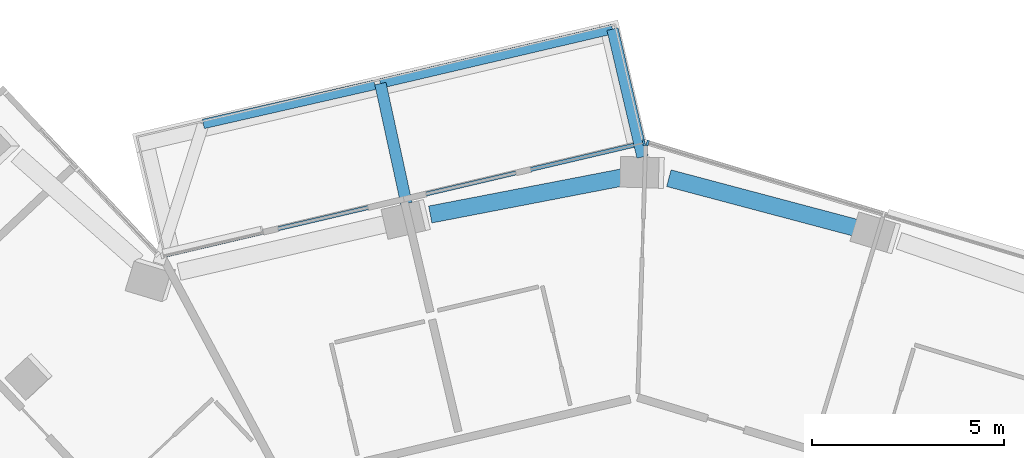
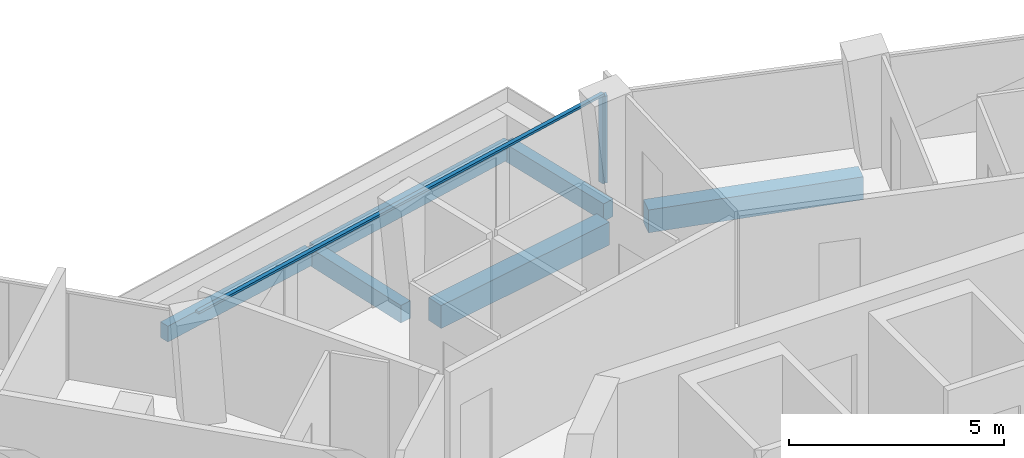
# One storey, part 8 of 24: 6 beams, 3 members, 2 elements without a shape of their own.
"""IFC4 building model written with IfcOpenShell, lengths in metres."""

import ifcopenshell
import ifcopenshell.guid

model = None  # the IFC model being written
_history = None  # IfcOwnerHistory: only IFC2X3 demands one
_inside = {}  # id of a spatial element -> (the spatial element, [elements in it])
_under = {}  # id of a project, library or spatial element -> (it, [spatial elements below it])
_declared = {}  # id of a project -> (the project, [libraries it declares])
_typed = {}  # id of a type object -> (the type object, [elements of that type])
_made_of = {}  # id of a material, layer set ... -> (it, [elements and type objects made of it])


def new_model(schema):
    """Start an empty IFC model of exactly this schema.

    Asked for "IFC4X3", IfcOpenShell would pick the latest addendum, in which some entities
    have other attributes; the version numbers below select the first issue.
    IFC2X3 requires an IfcOwnerHistory on every rooted entity: one is made here for all.
    """
    global model, _history
    if schema == "IFC4X3":
        model = ifcopenshell.file(schema_version=(4, 3, 0, 0))
    else:
        model = ifcopenshell.file(schema=schema)
    _inside.clear()
    _under.clear()
    _declared.clear()
    _typed.clear()
    _made_of.clear()
    _history = None
    if model.schema == "IFC2X3":
        org = make("IfcOrganization", Name="unknown")
        user = make(
            "IfcPersonAndOrganization",
            ThePerson=make("IfcPerson", FamilyName="unknown"),
            TheOrganization=org,
        )
        app = make(
            "IfcApplication",
            ApplicationDeveloper=org,
            Version="unknown",
            ApplicationFullName="unknown",
            ApplicationIdentifier="unknown",
        )
        _history = make(
            "IfcOwnerHistory",
            OwningUser=user,
            OwningApplication=app,
            ChangeAction="ADDED",
            CreationDate=0,
        )
    return model


def make(cls, **values):
    """One entity of the class cls with the attributes given. An attribute that is None is left unset."""
    return model.create_entity(
        cls, **{name: value for name, value in values.items() if value is not None}
    )


def rooted(cls, **values):
    """An entity with a GlobalId (a new one), such as an element, a storey or a relation."""
    return make(cls, GlobalId=ifcopenshell.guid.new(), OwnerHistory=_history, **values)


def si_unit(unit_type, name, prefix=None):
    """IfcSIUnit, for example si_unit("LENGTHUNIT", "METRE", prefix="MILLI")."""
    return make("IfcSIUnit", UnitType=unit_type, Prefix=prefix, Name=name)


def assignment(units):
    """IfcUnitAssignment: the units of a project."""
    return None if units is None else make("IfcUnitAssignment", Units=units)


def point(xyz):
    """IfcCartesianPoint."""
    return None if xyz is None else make("IfcCartesianPoint", Coordinates=xyz)


def direction(xyz):
    """IfcDirection."""
    return None if xyz is None else make("IfcDirection", DirectionRatios=xyz)


def frame(location, z_axis=None, x_axis=None):
    """IfcAxis2Placement3D, a coordinate frame: its origin and axes. An axis left out is left unset."""
    return make(
        "IfcAxis2Placement3D",
        Location=point(location),
        Axis=direction(z_axis),
        RefDirection=direction(x_axis),
    )


def frame_2d(location, x_axis=None):
    """IfcAxis2Placement2D, a coordinate frame in the plane: its origin and x axis."""
    return make(
        "IfcAxis2Placement2D", Location=point(location), RefDirection=direction(x_axis)
    )


def origin():
    """The frame at (0, 0, 0) with its axes left unset."""
    return frame((0.0, 0.0, 0.0))


def origin_2d():
    """The frame at (0, 0) in the plane with its x axis left unset."""
    return frame_2d((0.0, 0.0))


def place(relative_to, where):
    """IfcLocalPlacement: puts the frame where relative to a parent placement (None: the world)."""
    return make(
        "IfcLocalPlacement", PlacementRelTo=relative_to, RelativePlacement=where
    )


def context(
    kind, dimensions, precision=None, world=None, true_north=None, identifier=None
):
    """IfcGeometricRepresentationContext, for example the 3D "Model" context."""
    return make(
        "IfcGeometricRepresentationContext",
        ContextIdentifier=identifier,
        ContextType=kind,
        CoordinateSpaceDimension=dimensions,
        Precision=precision,
        WorldCoordinateSystem=world,
        TrueNorth=true_north,
    )


def subcontext(parent, identifier, kind, view, scale=None):
    """IfcGeometricRepresentationSubContext, for example "Body" below "Model"."""
    return make(
        "IfcGeometricRepresentationSubContext",
        ContextIdentifier=identifier,
        ContextType=kind,
        ParentContext=parent,
        TargetScale=scale,
        TargetView=view,
    )


def project(units=None, contexts=None):
    """IfcProject with its units and contexts."""
    return rooted(
        "IfcProject",
        Name="project",
        RepresentationContexts=contexts,
        UnitsInContext=assignment(units),
    )


def spatial(cls, under=None, at=None, **own):
    """A site, building, storey or space (cls), placed at a placement, below another one or the project."""
    s = rooted(cls, ObjectPlacement=at, **own)
    if under is not None:
        _under.setdefault(under.id(), (under, []))[1].append(s)
    return s


def profile(cls, at=None, kind="AREA", **sizes):
    """A parametric profile (cls). Its sizes go by their IFC names, for example OverallWidth=200.0."""
    return make(cls, ProfileType=kind, Position=at, **sizes)


def rectangle(**sizes):
    """IfcRectangleProfileDef."""
    return profile("IfcRectangleProfileDef", **sizes)


def extrude(swept, where, along, depth):
    """IfcExtrudedAreaSolid: the profile swept, set in the frame where, extruded along a direction by depth."""
    return make(
        "IfcExtrudedAreaSolid",
        SweptArea=swept,
        Position=where,
        ExtrudedDirection=direction(along),
        Depth=depth,
    )


def shape(context_of_items, identifier, shape_type, items):
    """IfcShapeRepresentation: the items that make up one representation, for example the "Body"."""
    return make(
        "IfcShapeRepresentation",
        ContextOfItems=context_of_items,
        RepresentationIdentifier=identifier,
        RepresentationType=shape_type,
        Items=items,
    )


def material(Name=None, Category=None):
    """IfcMaterial."""
    return make("IfcMaterial", Name=Name, Category=Category)


def layer(
    of_material, thickness, ventilated=None, Name=None, Category=None, Priority=None
):
    """IfcMaterialLayer: one layer of a wall or slab, of a material (None: an air gap)."""
    return make(
        "IfcMaterialLayer",
        Material=of_material,
        LayerThickness=thickness,
        IsVentilated=ventilated,
        Name=Name,
        Category=Category,
        Priority=Priority,
    )


def layer_set(layers, Name=None):
    """IfcMaterialLayerSet."""
    return make("IfcMaterialLayerSet", MaterialLayers=layers, LayerSetName=Name)


def material_profile(
    of_material, cross_section, Name=None, Category=None, Priority=None
):
    """IfcMaterialProfile: a cross section and its material."""
    return make(
        "IfcMaterialProfile",
        Name=Name,
        Material=of_material,
        Profile=cross_section,
        Priority=Priority,
        Category=Category,
    )


def profile_set(profiles, Name=None, composite=None):
    """IfcMaterialProfileSet."""
    return make(
        "IfcMaterialProfileSet",
        Name=Name,
        MaterialProfiles=profiles,
        CompositeProfile=composite,
    )


def made_of(thing, what):
    """Note that an element or type object is made of a material, layer set ...; save() writes the relation."""
    if what is not None:
        _made_of.setdefault(what.id(), (what, []))[1].append(thing)
    return thing


def type_object(cls, material=None, **own):
    """A type object (cls), such as IfcWallType, which elements share."""
    return made_of(rooted(cls, **own), material)


def element(
    cls,
    number,
    at=None,
    inside=None,
    cuts=None,
    type_object=None,
    material=None,
    context=None,
    identifier="Body",
    shape_type=None,
    held_by="IfcProductDefinitionShape",
    body=None,
    shapes=None,
    **own,
):
    """One element of the class cls, such as IfcWall. Its Tag is "e" and its number.

    at: its placement. inside: the storey or other place that contains it. cuts: it is an
    opening in that element (IfcRelVoidsElement). A single representation is given by context,
    identifier, shape_type and body (its items); several are given by shapes. held_by: the class
    of the entity that holds the representations. save() writes the other relations.
    """
    e = rooted(cls, Tag="e%d" % number, ObjectPlacement=at, **own)
    if body is not None:
        shapes = [shape(context, identifier, shape_type, body)]
    if shapes is not None:
        e.Representation = make(held_by, Representations=shapes)
    if inside is not None:
        _inside.setdefault(inside.id(), (inside, []))[1].append(e)
    if cuts is not None:
        rooted(
            "IfcRelVoidsElement", RelatingBuildingElement=cuts, RelatedOpeningElement=e
        )
    if type_object is not None:
        _typed.setdefault(type_object.id(), (type_object, []))[1].append(e)
    return made_of(e, material)


def aggregate(whole, parts):
    """IfcRelAggregates: a whole, such as a stair, and the parts it consists of."""
    return rooted("IfcRelAggregates", RelatingObject=whole, RelatedObjects=parts)


def save(model, path):
    """Write the relations noted so far, then the file.

    IfcRelAggregates (storeys below a building ...), IfcRelContainedInSpatialStructure (elements
    in a storey), IfcRelDefinesByType, IfcRelAssociatesMaterial and IfcRelDeclares: one each for
    every whole, place, type object, material and project.
    """
    for whole, parts in _under.values():
        aggregate(whole, parts)
    for where, things in _inside.values():
        rooted(
            "IfcRelContainedInSpatialStructure",
            RelatedElements=things,
            RelatingStructure=where,
        )
    for kind, things in _typed.values():
        rooted("IfcRelDefinesByType", RelatedObjects=things, RelatingType=kind)
    for what, things in _made_of.values():
        rooted("IfcRelAssociatesMaterial", RelatedObjects=things, RelatingMaterial=what)
    for by, libraries in _declared.values():
        rooted("IfcRelDeclares", RelatingContext=by, RelatedDefinitions=libraries)
    model.write(path)


model = new_model("IFC4")

# Units and contexts
model_context = context("Model", 3, precision=1e-05, world=origin(), true_north=direction((0.0, 1.0)))
body_context = subcontext(model_context, "Body", "Model", "MODEL_VIEW")
ifc_project = project(units=[si_unit("LENGTHUNIT", "METRE"), si_unit("AREAUNIT", "SQUARE_METRE"), si_unit("VOLUMEUNIT", "CUBIC_METRE"), si_unit("PLANEANGLEUNIT", "RADIAN"), si_unit("MASSUNIT", "GRAM", prefix="KILO")], contexts=[model_context])

# Site, building, storey
site_placement = place(None, origin())
site = spatial("IfcSite", under=ifc_project, at=site_placement, CompositionType="ELEMENT")
building_placement = place(site_placement, origin())
building = spatial("IfcBuilding", under=site, at=building_placement, Name="Verdalira Terraces Hotel", CompositionType="ELEMENT")
storey_placement = place(building_placement, frame((0.0, 0.0, 209.0)))
storey = spatial("IfcBuildingStorey", under=building, at=storey_placement, Name="L51", CompositionType="ELEMENT", Elevation=209.0)

# Beams
ifc_material_1 = material(Name="Concrete C40", Category="concrete")
ifc_material_profile_1 = material_profile(ifc_material_1, rectangle(XDim=0.300049, YDim=0.5, at=origin_2d()), Name="RC 300X500")
ifc_profile_set_1 = profile_set([ifc_material_profile_1], Name="Concrete C40")
beam_type_1 = type_object("IfcBeamType", Name="Balcony cantilever beam RC 300X500 C40", PredefinedType="BEAM", material=ifc_profile_set_1)
beam_1_placement = place(storey_placement, frame((0.702881, 24.646484, -0.560059), z_axis=(-0.22841524, 0.973563803, 0.0), x_axis=(-0.973563803, -0.22841524, 0.0)))
element("IfcBeam", 1, at=beam_1_placement, inside=storey, type_object=beam_type_1, Name="Balcony cantilever beam R41-1", PredefinedType="BEAM", context=body_context, shape_type="SweptSolid", body=[
    extrude(rectangle(XDim=0.300049, YDim=0.5, at=origin_2d()), origin(), (0.0, 0.0, 1.0), 3.423584),
])
beam_2_placement = place(storey_placement, frame((-5.452881, 23.431885, -0.560059), z_axis=(-0.212033815, 0.97726233, 0.0), x_axis=(-0.97726233, -0.212033815, 0.0)))
element("IfcBeam", 2, at=beam_2_placement, inside=storey, type_object=beam_type_1, Name="Balcony cantilever beam R41-2", PredefinedType="BEAM", context=body_context, shape_type="SweptSolid", body=[
    extrude(rectangle(XDim=0.300049, YDim=0.5, at=origin_2d()), origin(), (0.0, 0.0, 1.0), 3.200928),
])
ifc_material_2 = material(Name="Concrete C40", Category="concrete")
ifc_material_profile_2 = material_profile(ifc_material_2, rectangle(XDim=0.25, YDim=0.449951, at=origin_2d()), Name="RC 250X450")
ifc_profile_set_2 = profile_set([ifc_material_profile_2], Name="Concrete C40")
beam_type_2 = type_object("IfcBeamType", Name="Balcony edge beam RC 250X450 C40", PredefinedType="BEAM", material=ifc_profile_set_2)
beam_3_placement = place(storey_placement, frame((-0.079102, 27.979492, -0.534912), z_axis=(-0.973584809, -0.228325686, 0.0), x_axis=(0.228325686, -0.973584809, 0.0)))
element("IfcBeam", 3, at=beam_3_placement, inside=storey, type_object=beam_type_2, Name="Balcony edge beam R41-1", PredefinedType="BEAM", context=body_context, shape_type="SweptSolid", body=[
    extrude(rectangle(XDim=0.25, YDim=0.449951, at=origin_2d()), origin(), (0.0, 0.0, 1.0), 6.216797),
])
beam_4_placement = place(storey_placement, frame((-6.277832, 26.526611, -0.534912), z_axis=(-0.974925865, -0.222529903, 0.0), x_axis=(0.222529903, -0.974925865, 0.0)))
element("IfcBeam", 4, at=beam_4_placement, inside=storey, type_object=beam_type_2, Name="Balcony edge beam R41-2", PredefinedType="BEAM", context=body_context, shape_type="SweptSolid", body=[
    extrude(rectangle(XDim=0.25, YDim=0.449951, at=origin_2d()), origin(), (0.0, 0.0, 1.0), 4.585938),
])

# Curtain wall, member
ifc_material_3 = material(Name="Clear glass", Category="glass")
ifc_layer = layer(ifc_material_3, 0.14990234375)
ifc_layer_set = layer_set([ifc_layer], Name="CW1 curtain wall")
curtain_wall_type = type_object("IfcCurtainWallType", Name="CW1 curtain wall", PredefinedType="NOTDEFINED", material=ifc_layer_set)
curtain_wall_1_placement = place(storey_placement, origin())
curtain_wall_1 = element("IfcCurtainWall", 5, at=curtain_wall_1_placement, inside=storey, type_object=curtain_wall_type, Name="CW1 curtain wall L51 edge 40", PredefinedType="NOTDEFINED")
ifc_material_4 = material(Name="Terracotta frame", Category="masonry")
ifc_material_profile_3 = material_profile(ifc_material_4, rectangle(XDim=0.060059, YDim=0.149902, at=origin_2d()), Name="MU 60x150")
ifc_profile_set_3 = profile_set([ifc_material_profile_3], Name="Terracotta frame")
member_type_1 = type_object("IfcMemberType", Name="CW1 mullion 60x150", PredefinedType="MULLION", material=ifc_profile_set_3)
member_1_placement = place(storey_placement, frame((0.834473, 25.009521, 0.0), z_axis=(0.0, 0.0, 1.0), x_axis=(-0.957319498, 0.289031797, 0.0)))
member_1 = element("IfcMember", 6, at=member_1_placement, type_object=member_type_1, Name="CW1 mullion", PredefinedType="MULLION", context=body_context, shape_type="SweptSolid", body=[
    extrude(rectangle(XDim=0.060059, YDim=0.149902, at=origin_2d()), origin(), (0.0, 0.0, 1.0), 2.475098),
])
aggregate(curtain_wall_1, [member_1])

# Curtain wall, members
curtain_wall_2_placement = place(storey_placement, origin())
curtain_wall_2 = element("IfcCurtainWall", 7, at=curtain_wall_2_placement, inside=storey, type_object=curtain_wall_type, Name="CW1 curtain wall L51 edge 41", PredefinedType="NOTDEFINED")
member_2_placement = place(storey_placement, frame((0.737549, 25.012695, 0.0), z_axis=(0.0, 0.0, 1.0), x_axis=(-0.973578903, -0.22835087, 0.0)))
member_2 = element("IfcMember", 8, at=member_2_placement, type_object=member_type_1, Name="CW1 mullion", PredefinedType="MULLION", context=body_context, shape_type="SweptSolid", body=[
    extrude(rectangle(XDim=0.060059, YDim=0.149902, at=origin_2d()), origin(), (0.0, 0.0, 1.0), 2.475098),
])
ifc_material_5 = material(Name="Terracotta frame", Category="masonry")
ifc_material_profile_4 = material_profile(ifc_material_5, rectangle(XDim=0.110107, YDim=0.064941, at=origin_2d()), Name="TR 65x110")
ifc_profile_set_4 = profile_set([ifc_material_profile_4], Name="Terracotta frame")
member_type_2 = type_object("IfcMemberType", Name="CW1 transom 65x110", PredefinedType="USERDEFINED", material=ifc_profile_set_4)
member_3_placement = place(storey_placement, frame((0.766846, 25.019531, 2.507568), z_axis=(-0.973577517, -0.228356778, 0.0), x_axis=(0.228356778, -0.973577517, 0.0)))
member_3 = element("IfcMember", 9, at=member_3_placement, type_object=member_type_2, Name="CW1 transom", ObjectType="TRANSOM", PredefinedType="USERDEFINED", context=body_context, shape_type="SweptSolid", body=[
    extrude(rectangle(XDim=0.110107, YDim=0.064941, at=origin_2d()), origin(), (0.0, 0.0, 1.0), 12.959961),
])
aggregate(curtain_wall_2, [member_2, member_3])

# Beams
ifc_material_6 = material(Name="Concrete C50", Category="concrete")
ifc_material_profile_5 = material_profile(ifc_material_6, rectangle(XDim=0.449951, YDim=0.649902, at=origin_2d()), Name="RC 450X650")
ifc_profile_set_5 = profile_set([ifc_material_profile_5], Name="Concrete C50")
beam_type_3 = type_object("IfcBeamType", Name="Spandrel beam RC 450X650 C50", PredefinedType="SPANDREL", material=ifc_profile_set_5)
beam_5_placement = place(storey_placement, frame((6.404541, 22.760498, -0.63501), z_axis=(-0.966482026, 0.256734285, 0.0), x_axis=(-0.256734285, -0.966482026, 0.0)))
element("IfcBeam", 10, at=beam_5_placement, inside=storey, type_object=beam_type_3, Name="Spandrel beam B21", PredefinedType="SPANDREL", context=body_context, shape_type="SweptSolid", body=[
    extrude(rectangle(XDim=0.449951, YDim=0.649902, at=origin_2d()), origin(), (0.0, 0.0, 1.0), 5.189209),
])
beam_6_placement = place(storey_placement, frame((0.265625, 24.129883, -0.63501), z_axis=(-0.981864643, -0.189583289, 0.0), x_axis=(0.189583289, -0.981864643, 0.0)))
element("IfcBeam", 11, at=beam_6_placement, inside=storey, type_object=beam_type_3, Name="Spandrel beam B22", PredefinedType="SPANDREL", context=body_context, shape_type="SweptSolid", body=[
    extrude(rectangle(XDim=0.449951, YDim=0.649902, at=origin_2d()), origin(), (0.0, 0.0, 1.0), 5.192383),
])

save(model, "model.ifc")
